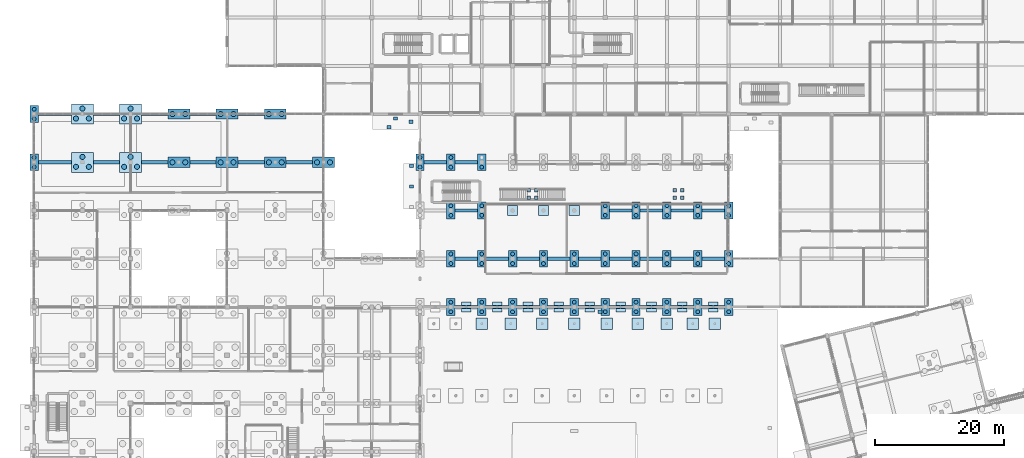
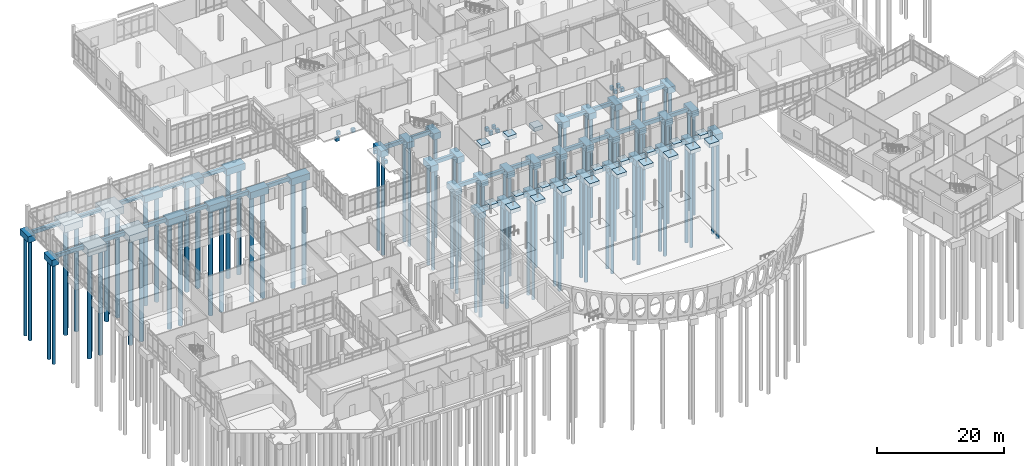
# One storey, part 4 of 173: 114 footings, 89 piles.
"""IFC4 building model written with IfcOpenShell, lengths in metres."""

from ifc_helpers import new_model, si_unit, direction, frame, origin, origin_2d, place, context, subcontext, project, spatial, rectangle, circle, extrude, material, material_profile, profile_set, type_object, element, save


model = new_model("IFC4")

# Units and contexts
model_context = context("Model", 3, precision=1e-05, world=origin(), true_north=direction((0.0, 1.0)))
body_context = subcontext(model_context, "Body", "Model", "MODEL_VIEW")
ifc_project = project(units=[si_unit("LENGTHUNIT", "METRE"), si_unit("AREAUNIT", "SQUARE_METRE"), si_unit("VOLUMEUNIT", "CUBIC_METRE"), si_unit("PLANEANGLEUNIT", "RADIAN"), si_unit("MASSUNIT", "GRAM", prefix="KILO")], contexts=[model_context])

# Site, building, storey
site_placement = place(None, origin())
site = spatial("IfcSite", under=ifc_project, at=site_placement, CompositionType="ELEMENT")
building_placement = place(site_placement, origin())
building = spatial("IfcBuilding", under=site, at=building_placement, Name="Mawjan Specialist Oncology Clinic", CompositionType="ELEMENT")
storey_placement = place(building_placement, origin())
storey = spatial("IfcBuildingStorey", under=building, at=storey_placement, Name="L00", CompositionType="ELEMENT", Elevation=0.0)

# Footings
ifc_material_1 = material(Name="Concrete C40/50", Category="concrete")
footing_type_1 = type_object("IfcFootingType", Name="PC-2A", PredefinedType="PILE_CAP", material=ifc_material_1)
for number, where, z_axis, x_axis, name in (
    (1, (0.0, 68.300048828125, -1.6201171875), (0.0, 0.0, 1.0), (0.0, 1.0, 0.0), "Pile Cap FTG-PC-010"),
    (2, (0.0, 75.800048828125, -1.6201171875), (0.0, 0.0, 1.0), (0.0, 1.0, 0.0), "Pile Cap FTG-PC-011"),
    (3, (60.0, 68.300048828125, -1.6201171875), (0.0, 0.0, 1.0), (0.0, 1.0, 0.0), "Pile Cap FTG-PC-112"),
    (4, (64.800048828125, 45.800048828125, -1.6201171875), (0.0, 0.0, 1.0), (0.0, 1.0, 0.0), "Pile Cap FTG-PC-119"),
    (5, (64.800048828125, 53.300048828125, -1.6201171875), (0.0, 0.0, 1.0), (0.0, 1.0, 0.0), "Pile Cap FTG-PC-120"),
    (6, (64.800048828125, 60.800048828125, -1.6201171875), (0.0, 0.0, 1.0), (0.0, 1.0, 0.0), "Pile Cap FTG-PC-121"),
    (7, (64.800048828125, 68.300048828125, -1.6201171875), (0.0, 0.0, 1.0), (0.0, 1.0, 0.0), "Pile Cap FTG-PC-122"),
    (8, (69.60009765625, 45.800048828125, -1.6201171875), (0.0, 0.0, 1.0), (0.0, 1.0, 0.0), "Pile Cap FTG-PC-129"),
    (9, (69.60009765625, 53.300048828125, -1.6201171875), (0.0, 0.0, 1.0), (0.0, 1.0, 0.0), "Pile Cap FTG-PC-130"),
    (10, (69.60009765625, 60.800048828125, -1.6201171875), (0.0, 0.0, 1.0), (0.0, 1.0, 0.0), "Pile Cap FTG-PC-131"),
    (11, (69.60009765625, 68.300048828125, -1.6201171875), (0.0, 0.0, 1.0), (0.0, 1.0, 0.0), "Pile Cap FTG-PC-132"),
    (12, (74.39990234375, 45.800048828125, -1.6201171875), (0.0, 0.0, 1.0), (0.0, 1.0, 0.0), "Pile Cap FTG-PC-139"),
    (13, (74.39990234375, 53.300048828125, -1.6201171875), (0.0, 0.0, 1.0), (0.0, 1.0, 0.0), "Pile Cap FTG-PC-140"),
    (14, (79.199951171875, 45.800048828125, -1.6201171875), (0.0, 0.0, 1.0), (0.0, 1.0, 0.0), "Pile Cap FTG-PC-148"),
    (15, (79.199951171875, 53.300048828125, -1.6201171875), (0.0, 0.0, 1.0), (0.0, 1.0, 0.0), "Pile Cap FTG-PC-149"),
    (16, (84.0, 45.800048828125, -1.6201171875), (0.0, 0.0, 1.0), (0.0, 1.0, 0.0), "Pile Cap FTG-PC-157"),
    (17, (84.0, 53.300048828125, -1.6201171875), (0.0, 0.0, 1.0), (0.0, 1.0, 0.0), "Pile Cap FTG-PC-158"),
    (18, (88.800048828125, 45.800048828125, -1.6201171875), (0.0, 0.0, 1.0), (0.0, 1.0, 0.0), "Pile Cap FTG-PC-166"),
    (19, (88.800048828125, 53.300048828125, -1.6201171875), (0.0, 0.0, 1.0), (0.0, 1.0, 0.0), "Pile Cap FTG-PC-167"),
    (20, (88.800048828125, 60.800048828125, -1.6201171875), (0.0, 0.0, 1.0), (0.0, 1.0, 0.0), "Pile Cap FTG-PC-168"),
    (21, (93.60009765625, 45.800048828125, -1.6201171875), (0.0, 0.0, 1.0), (0.0, 1.0, 0.0), "Pile Cap FTG-PC-176"),
    (22, (93.60009765625, 53.300048828125, -1.6201171875), (0.0, 0.0, 1.0), (0.0, 1.0, 0.0), "Pile Cap FTG-PC-177"),
    (23, (93.60009765625, 60.800048828125, -1.6201171875), (0.0, 0.0, 1.0), (0.0, 1.0, 0.0), "Pile Cap FTG-PC-178"),
    (24, (98.39990234375, 45.800048828125, -1.6201171875), (0.0, 0.0, 1.0), (0.0, 1.0, 0.0), "Pile Cap FTG-PC-186"),
    (25, (98.39990234375, 53.300048828125, -1.6201171875), (0.0, 0.0, 1.0), (0.0, 1.0, 0.0), "Pile Cap FTG-PC-187"),
    (26, (98.39990234375, 60.800048828125, -1.6201171875), (0.0, 0.0, 1.0), (0.0, 1.0, 0.0), "Pile Cap FTG-PC-188"),
    (27, (103.199951171875, 45.800048828125, -1.6201171875), (0.0, 0.0, 1.0), (0.0, 1.0, 0.0), "Pile Cap FTG-PC-196"),
    (28, (103.199951171875, 53.300048828125, -1.6201171875), (0.0, 0.0, 1.0), (0.0, 1.0, 0.0), "Pile Cap FTG-PC-197"),
    (29, (103.199951171875, 60.800048828125, -1.6201171875), (0.0, 0.0, 1.0), (0.0, 1.0, 0.0), "Pile Cap FTG-PC-198"),
    (30, (108.0, 45.800048828125, -1.6201171875), (0.0, 0.0, 1.0), (0.0, 1.0, 0.0), "Pile Cap FTG-PC-206"),
    (31, (108.0, 53.300048828125, -1.6201171875), (0.0, 0.0, 1.0), (0.0, 1.0, 0.0), "Pile Cap FTG-PC-207"),
    (32, (108.0, 60.800048828125, -1.6201171875), (0.0, 0.0, 1.0), (0.0, 1.0, 0.0), "Pile Cap FTG-PC-208"),
):
    element("IfcFooting", number, at=place(storey_placement, frame(where, z_axis=z_axis, x_axis=x_axis)), inside=storey, type_object=footing_type_1, Name=name, PredefinedType="PILE_CAP", context=body_context, shape_type="SweptSolid", body=[
        extrude(rectangle(XDim=2.60009765625, YDim=1.300048828125, at=origin_2d()), origin(), (0.0, 0.0, 1.0), 1.199951171875),
    ])
ifc_material_2 = material(Name="Concrete C40/50", Category="concrete")
footing_type_2 = type_object("IfcFootingType", Name="PC-2B", PredefinedType="PILE_CAP", material=ifc_material_2)
for number, where, z_axis, x_axis, name in (
    (33, (22.5, 68.300048828125, -1.72021484375), (0.0, 0.0, 1.0), (1.0, 0.0, 0.0), "Pile Cap FTG-PC-041"),
    (34, (22.5, 75.800048828125, -1.72021484375), (0.0, 0.0, 1.0), (1.0, 0.0, 0.0), "Pile Cap FTG-PC-042"),
    (35, (30.0, 68.300048828125, -1.72021484375), (0.0, 0.0, 1.0), (1.0, 0.0, 0.0), "Pile Cap FTG-PC-052"),
    (36, (30.0, 75.800048828125, -1.72021484375), (0.0, 0.0, 1.0), (1.0, 0.0, 0.0), "Pile Cap FTG-PC-053"),
    (37, (37.5, 68.300048828125, -1.72021484375), (0.0, 0.0, 1.0), (1.0, 0.0, 0.0), "Pile Cap FTG-PC-068"),
    (38, (37.5, 75.800048828125, -1.72021484375), (0.0, 0.0, 1.0), (1.0, 0.0, 0.0), "Pile Cap FTG-PC-069"),
    (39, (45.0, 68.300048828125, -1.72021484375), (0.0, 0.0, 1.0), (1.0, 0.0, 0.0), "Pile Cap FTG-PC-084"),
):
    element("IfcFooting", number, at=place(storey_placement, frame(where, z_axis=z_axis, x_axis=x_axis)), inside=storey, type_object=footing_type_2, Name=name, PredefinedType="PILE_CAP", context=body_context, shape_type="SweptSolid", body=[
        extrude(rectangle(XDim=3.39990234375, YDim=1.60009765625, at=origin_2d()), origin(), (0.0, 0.0, 1.0), 1.300048828125),
    ])
ifc_material_3 = material(Name="Concrete C40/50", Category="concrete")
footing_type_3 = type_object("IfcFootingType", Name="PC-3A", PredefinedType="PILE_CAP", material=ifc_material_3)
for number, where, z_axis, x_axis, name in (
    (40, (7.5, 68.300048828125, -1.77001953125), (0.0, 0.0, 1.0), (1.0, 0.0, 0.0), "Pile Cap FTG-PC-021"),
    (41, (7.5, 75.800048828125, -1.77001953125), (0.0, 0.0, 1.0), (1.0, 0.0, 0.0), "Pile Cap FTG-PC-022"),
    (42, (15.0, 68.300048828125, -1.77001953125), (0.0, 0.0, 1.0), (1.0, 0.0, 0.0), "Pile Cap FTG-PC-032"),
    (43, (15.0, 75.800048828125, -1.77001953125), (0.0, 0.0, 1.0), (1.0, 0.0, 0.0), "Pile Cap FTG-PC-033"),
):
    element("IfcFooting", number, at=place(storey_placement, frame(where, z_axis=z_axis, x_axis=x_axis)), inside=storey, type_object=footing_type_3, Name=name, PredefinedType="PILE_CAP", context=body_context, shape_type="SweptSolid", body=[
        extrude(rectangle(XDim=3.39990234375, YDim=3.10009765625, at=origin_2d()), origin(), (0.0, 0.0, 1.0), 1.35009765625),
    ])
ifc_material_4 = material(Name="Concrete C40/50", Category="concrete")
footing_type_4 = type_object("IfcFootingType", Name="PF-GDN1", PredefinedType="PAD_FOOTING", material=ifc_material_4)
for number, where, z_axis, x_axis, name in (
    (44, (67.199951171875, 45.800048828125, -0.75), (0.0, 0.0, 1.0), (1.0, 0.0, 0.0), "Hall South Ridge Footing 02"),
    (45, (72.0, 45.800048828125, -0.75), (0.0, 0.0, 1.0), (1.0, 0.0, 0.0), "Hall South Ridge Footing 03"),
    (46, (76.800048828125, 45.800048828125, -0.75), (0.0, 0.0, 1.0), (1.0, 0.0, 0.0), "Hall South Ridge Footing 04"),
    (47, (81.60009765625, 45.800048828125, -0.75), (0.0, 0.0, 1.0), (1.0, 0.0, 0.0), "Hall South Ridge Footing 05"),
    (48, (86.39990234375, 45.800048828125, -0.75), (0.0, 0.0, 1.0), (1.0, 0.0, 0.0), "Hall South Ridge Footing 06"),
    (49, (91.199951171875, 45.800048828125, -0.75), (0.0, 0.0, 1.0), (1.0, 0.0, 0.0), "Hall South Ridge Footing 07"),
    (50, (96.0, 45.800048828125, -0.75), (0.0, 0.0, 1.0), (1.0, 0.0, 0.0), "Hall South Ridge Footing 08"),
    (51, (100.800048828125, 45.800048828125, -0.75), (0.0, 0.0, 1.0), (1.0, 0.0, 0.0), "Hall South Ridge Footing 09"),
    (52, (105.60009765625, 45.800048828125, -0.75), (0.0, 0.0, 1.0), (1.0, 0.0, 0.0), "Hall South Ridge Footing 10"),
):
    element("IfcFooting", number, at=place(storey_placement, frame(where, z_axis=z_axis, x_axis=x_axis)), inside=storey, type_object=footing_type_4, Name=name, PredefinedType="PAD_FOOTING", context=body_context, shape_type="SweptSolid", body=[
        extrude(rectangle(XDim=1.5, YDim=1.5, at=origin_2d()), origin(), (0.0, 0.0, 1.0), 0.75),
    ])
ifc_material_5 = material(Name="Concrete C40/50", Category="concrete")
footing_type_5 = type_object("IfcFootingType", Name="PF-GDN3", PredefinedType="PAD_FOOTING", material=ifc_material_5)
for number, where, z_axis, x_axis, name in (
    (53, (74.39990234375, 60.800048828125, -0.75), (0.0, 0.0, 1.0), (1.0, 0.0, 0.0), "Hall Valley Pad 4-60"),
    (54, (79.199951171875, 60.800048828125, -0.75), (0.0, 0.0, 1.0), (1.0, 0.0, 0.0), "Hall Valley Pad 5-60"),
    (55, (84.0, 60.800048828125, -0.75), (0.0, 0.0, 1.0), (1.0, 0.0, 0.0), "Hall Valley Pad 6-60"),
):
    element("IfcFooting", number, at=place(storey_placement, frame(where, z_axis=z_axis, x_axis=x_axis)), inside=storey, type_object=footing_type_5, Name=name, PredefinedType="PAD_FOOTING", context=body_context, shape_type="SweptSolid", body=[
        extrude(rectangle(XDim=1.60009765625, YDim=1.60009765625, at=origin_2d()), origin(), (0.0, 0.0, 1.0), 0.75),
    ])
for number, where, z_axis, x_axis, name in (
    (56, (69.611328125, 43.199951171875, -0.75), (0.0, 0.0, 1.0), (1.0, 0.0, 0.0), "Courtyard North Colonnade Pad 03"),
    (57, (74.131103515625, 43.199951171875, -0.75), (0.0, 0.0, 1.0), (1.0, 0.0, 0.0), "Courtyard North Colonnade Pad 04"),
    (58, (78.981689453125, 43.199951171875, -0.75), (0.0, 0.0, 1.0), (1.0, 0.0, 0.0), "Courtyard North Colonnade Pad 05"),
    (59, (84.0, 43.199951171875, -0.75), (0.0, 0.0, 1.0), (1.0, 0.0, 0.0), "Courtyard North Colonnade Pad 06"),
    (60, (89.018310546875, 43.199951171875, -0.75), (0.0, 0.0, 1.0), (1.0, 0.0, 0.0), "Courtyard North Colonnade Pad 07"),
    (61, (93.868896484375, 43.199951171875, -0.75), (0.0, 0.0, 1.0), (1.0, 0.0, 0.0), "Courtyard North Colonnade Pad 08"),
    (62, (98.388671875, 43.199951171875, -0.75), (0.0, 0.0, 1.0), (1.0, 0.0, 0.0), "Courtyard North Colonnade Pad 09"),
    (63, (102.426513671875, 43.199951171875, -0.75), (0.0, 0.0, 1.0), (1.0, 0.0, 0.0), "Courtyard North Colonnade Pad 10"),
    (64, (105.847412109375, 43.199951171875, -0.75), (0.0, 0.0, 1.0), (1.0, 0.0, 0.0), "Courtyard North Colonnade Pad 11"),
):
    element("IfcFooting", number, at=place(storey_placement, frame(where, z_axis=z_axis, x_axis=x_axis)), inside=storey, type_object=footing_type_5, Name=name, PredefinedType="PAD_FOOTING", context=body_context, shape_type="SweptSolid", body=[
        extrude(rectangle(XDim=1.800048828125, YDim=1.800048828125, at=origin_2d()), origin(), (0.0, 0.0, 1.0), 0.75),
    ])

# Piles
ifc_material_6 = material(Name="Concrete C40/50", Category="concrete")
ifc_material_profile_1 = material_profile(ifc_material_6, circle(Radius=0.300048828125, at=origin_2d()), Name="BORED PILE D600", Category="concrete")
ifc_profile_set_1 = profile_set([ifc_material_profile_1], Name="Concrete C40/50")
pile_type_1 = type_object("IfcPileType", Name="PILE-600", PredefinedType="BORED", material=ifc_profile_set_1)
for number, where, z_axis, x_axis, name in (
    (65, (0.0, 67.550048828125, -1.52001953125), (0.0, 0.0, -1.0), (1.0, 0.0, 0.0), "Bored Pile PIL-0018"),
    (66, (0.0, 69.050048828125, -1.52001953125), (0.0, 0.0, -1.0), (1.0, 0.0, 0.0), "Bored Pile PIL-0019"),
    (67, (0.0, 75.050048828125, -1.52001953125), (0.0, 0.0, -1.0), (1.0, 0.0, 0.0), "Bored Pile PIL-0020"),
    (68, (0.0, 76.550048828125, -1.52001953125), (0.0, 0.0, -1.0), (1.0, 0.0, 0.0), "Bored Pile PIL-0021"),
    (69, (60.0, 67.550048828125, -1.52001953125), (0.0, 0.0, -1.0), (1.0, 0.0, 0.0), "Bored Pile PIL-0321"),
    (70, (60.0, 69.050048828125, -1.52001953125), (0.0, 0.0, -1.0), (1.0, 0.0, 0.0), "Bored Pile PIL-0322"),
    (71, (64.800048828125, 45.050048828125, -1.52001953125), (0.0, 0.0, -1.0), (1.0, 0.0, 0.0), "Bored Pile PIL-0335"),
    (72, (64.800048828125, 46.550048828125, -1.52001953125), (0.0, 0.0, -1.0), (1.0, 0.0, 0.0), "Bored Pile PIL-0336"),
    (73, (64.800048828125, 52.550048828125, -1.52001953125), (0.0, 0.0, -1.0), (1.0, 0.0, 0.0), "Bored Pile PIL-0337"),
    (74, (64.800048828125, 54.050048828125, -1.52001953125), (0.0, 0.0, -1.0), (1.0, 0.0, 0.0), "Bored Pile PIL-0338"),
    (75, (64.800048828125, 60.050048828125, -1.52001953125), (0.0, 0.0, -1.0), (1.0, 0.0, 0.0), "Bored Pile PIL-0339"),
    (76, (64.800048828125, 61.550048828125, -1.52001953125), (0.0, 0.0, -1.0), (1.0, 0.0, 0.0), "Bored Pile PIL-0340"),
    (77, (64.800048828125, 67.550048828125, -1.52001953125), (0.0, 0.0, -1.0), (1.0, 0.0, 0.0), "Bored Pile PIL-0341"),
    (78, (64.800048828125, 69.050048828125, -1.52001953125), (0.0, 0.0, -1.0), (1.0, 0.0, 0.0), "Bored Pile PIL-0342"),
    (79, (69.60009765625, 45.050048828125, -1.52001953125), (0.0, 0.0, -1.0), (1.0, 0.0, 0.0), "Bored Pile PIL-0355"),
    (80, (69.60009765625, 46.550048828125, -1.52001953125), (0.0, 0.0, -1.0), (1.0, 0.0, 0.0), "Bored Pile PIL-0356"),
    (81, (69.60009765625, 52.550048828125, -1.52001953125), (0.0, 0.0, -1.0), (1.0, 0.0, 0.0), "Bored Pile PIL-0357"),
    (82, (69.60009765625, 54.050048828125, -1.52001953125), (0.0, 0.0, -1.0), (1.0, 0.0, 0.0), "Bored Pile PIL-0358"),
    (83, (69.60009765625, 60.050048828125, -1.52001953125), (0.0, 0.0, -1.0), (1.0, 0.0, 0.0), "Bored Pile PIL-0359"),
    (84, (69.60009765625, 61.550048828125, -1.52001953125), (0.0, 0.0, -1.0), (1.0, 0.0, 0.0), "Bored Pile PIL-0360"),
    (85, (69.60009765625, 67.550048828125, -1.52001953125), (0.0, 0.0, -1.0), (1.0, 0.0, 0.0), "Bored Pile PIL-0361"),
    (86, (74.39990234375, 45.050048828125, -1.52001953125), (0.0, 0.0, -1.0), (1.0, 0.0, 0.0), "Bored Pile PIL-0375"),
    (87, (74.39990234375, 46.550048828125, -1.52001953125), (0.0, 0.0, -1.0), (1.0, 0.0, 0.0), "Bored Pile PIL-0376"),
    (88, (74.39990234375, 52.550048828125, -1.52001953125), (0.0, 0.0, -1.0), (1.0, 0.0, 0.0), "Bored Pile PIL-0377"),
    (89, (74.39990234375, 54.050048828125, -1.52001953125), (0.0, 0.0, -1.0), (1.0, 0.0, 0.0), "Bored Pile PIL-0378"),
    (90, (79.199951171875, 45.050048828125, -1.52001953125), (0.0, 0.0, -1.0), (1.0, 0.0, 0.0), "Bored Pile PIL-0393"),
    (91, (79.199951171875, 46.550048828125, -1.52001953125), (0.0, 0.0, -1.0), (1.0, 0.0, 0.0), "Bored Pile PIL-0394"),
    (92, (79.199951171875, 52.550048828125, -1.52001953125), (0.0, 0.0, -1.0), (1.0, 0.0, 0.0), "Bored Pile PIL-0395"),
    (93, (79.199951171875, 54.050048828125, -1.52001953125), (0.0, 0.0, -1.0), (1.0, 0.0, 0.0), "Bored Pile PIL-0396"),
    (94, (84.0, 45.050048828125, -1.52001953125), (0.0, 0.0, -1.0), (1.0, 0.0, 0.0), "Bored Pile PIL-0411"),
    (95, (84.0, 46.550048828125, -1.52001953125), (0.0, 0.0, -1.0), (1.0, 0.0, 0.0), "Bored Pile PIL-0412"),
    (96, (84.0, 52.550048828125, -1.52001953125), (0.0, 0.0, -1.0), (1.0, 0.0, 0.0), "Bored Pile PIL-0413"),
    (97, (84.0, 54.050048828125, -1.52001953125), (0.0, 0.0, -1.0), (1.0, 0.0, 0.0), "Bored Pile PIL-0414"),
    (98, (88.800048828125, 45.050048828125, -1.52001953125), (0.0, 0.0, -1.0), (1.0, 0.0, 0.0), "Bored Pile PIL-0429"),
    (99, (88.800048828125, 46.550048828125, -1.52001953125), (0.0, 0.0, -1.0), (1.0, 0.0, 0.0), "Bored Pile PIL-0430"),
    (100, (88.800048828125, 52.550048828125, -1.52001953125), (0.0, 0.0, -1.0), (1.0, 0.0, 0.0), "Bored Pile PIL-0431"),
    (101, (88.800048828125, 54.050048828125, -1.52001953125), (0.0, 0.0, -1.0), (1.0, 0.0, 0.0), "Bored Pile PIL-0432"),
    (102, (88.800048828125, 60.050048828125, -1.52001953125), (0.0, 0.0, -1.0), (1.0, 0.0, 0.0), "Bored Pile PIL-0433"),
    (103, (88.800048828125, 61.550048828125, -1.52001953125), (0.0, 0.0, -1.0), (1.0, 0.0, 0.0), "Bored Pile PIL-0434"),
    (104, (93.60009765625, 45.050048828125, -1.52001953125), (0.0, 0.0, -1.0), (1.0, 0.0, 0.0), "Bored Pile PIL-0449"),
    (105, (93.60009765625, 46.550048828125, -1.52001953125), (0.0, 0.0, -1.0), (1.0, 0.0, 0.0), "Bored Pile PIL-0450"),
    (106, (93.60009765625, 52.550048828125, -1.52001953125), (0.0, 0.0, -1.0), (1.0, 0.0, 0.0), "Bored Pile PIL-0451"),
    (107, (93.60009765625, 54.050048828125, -1.52001953125), (0.0, 0.0, -1.0), (1.0, 0.0, 0.0), "Bored Pile PIL-0452"),
    (108, (93.60009765625, 60.050048828125, -1.52001953125), (0.0, 0.0, -1.0), (1.0, 0.0, 0.0), "Bored Pile PIL-0453"),
    (109, (93.60009765625, 61.550048828125, -1.52001953125), (0.0, 0.0, -1.0), (1.0, 0.0, 0.0), "Bored Pile PIL-0454"),
    (110, (98.39990234375, 45.050048828125, -1.52001953125), (0.0, 0.0, -1.0), (1.0, 0.0, 0.0), "Bored Pile PIL-0469"),
    (111, (98.39990234375, 46.550048828125, -1.52001953125), (0.0, 0.0, -1.0), (1.0, 0.0, 0.0), "Bored Pile PIL-0470"),
    (112, (98.39990234375, 52.550048828125, -1.52001953125), (0.0, 0.0, -1.0), (1.0, 0.0, 0.0), "Bored Pile PIL-0471"),
    (113, (98.39990234375, 54.050048828125, -1.52001953125), (0.0, 0.0, -1.0), (1.0, 0.0, 0.0), "Bored Pile PIL-0472"),
    (114, (98.39990234375, 60.050048828125, -1.52001953125), (0.0, 0.0, -1.0), (1.0, 0.0, 0.0), "Bored Pile PIL-0473"),
    (115, (98.39990234375, 61.550048828125, -1.52001953125), (0.0, 0.0, -1.0), (1.0, 0.0, 0.0), "Bored Pile PIL-0474"),
    (116, (103.199951171875, 45.050048828125, -1.52001953125), (0.0, 0.0, -1.0), (1.0, 0.0, 0.0), "Bored Pile PIL-0489"),
    (117, (103.199951171875, 46.550048828125, -1.52001953125), (0.0, 0.0, -1.0), (1.0, 0.0, 0.0), "Bored Pile PIL-0490"),
    (118, (103.199951171875, 52.550048828125, -1.52001953125), (0.0, 0.0, -1.0), (1.0, 0.0, 0.0), "Bored Pile PIL-0491"),
    (119, (103.199951171875, 54.050048828125, -1.52001953125), (0.0, 0.0, -1.0), (1.0, 0.0, 0.0), "Bored Pile PIL-0492"),
    (120, (103.199951171875, 60.050048828125, -1.52001953125), (0.0, 0.0, -1.0), (1.0, 0.0, 0.0), "Bored Pile PIL-0493"),
    (121, (103.199951171875, 61.550048828125, -1.52001953125), (0.0, 0.0, -1.0), (1.0, 0.0, 0.0), "Bored Pile PIL-0494"),
    (122, (108.0, 45.050048828125, -1.52001953125), (0.0, 0.0, -1.0), (1.0, 0.0, 0.0), "Bored Pile PIL-0509"),
    (123, (108.0, 46.550048828125, -1.52001953125), (0.0, 0.0, -1.0), (1.0, 0.0, 0.0), "Bored Pile PIL-0510"),
    (124, (108.0, 52.550048828125, -1.52001953125), (0.0, 0.0, -1.0), (1.0, 0.0, 0.0), "Bored Pile PIL-0511"),
    (125, (108.0, 54.050048828125, -1.52001953125), (0.0, 0.0, -1.0), (1.0, 0.0, 0.0), "Bored Pile PIL-0512"),
    (126, (108.0, 60.050048828125, -1.52001953125), (0.0, 0.0, -1.0), (1.0, 0.0, 0.0), "Bored Pile PIL-0513"),
    (127, (108.0, 61.550048828125, -1.52001953125), (0.0, 0.0, -1.0), (1.0, 0.0, 0.0), "Bored Pile PIL-0514"),
):
    element("IfcPile", number, at=place(storey_placement, frame(where, z_axis=z_axis, x_axis=x_axis)), inside=storey, type_object=pile_type_1, Name=name, PredefinedType="BORED", context=body_context, shape_type="SweptSolid", body=[
        extrude(circle(Radius=0.300048828125, at=origin_2d()), origin(), (0.0, 0.0, 1.0), 19.280029296875),
    ])
ifc_material_7 = material(Name="Concrete C40/50", Category="concrete")
ifc_material_profile_2 = material_profile(ifc_material_7, circle(Radius=0.39990234375, at=origin_2d()), Name="BORED PILE D800", Category="concrete")
ifc_profile_set_2 = profile_set([ifc_material_profile_2], Name="Concrete C40/50")
pile_type_2 = type_object("IfcPileType", Name="PILE-800", PredefinedType="BORED", material=ifc_profile_set_2)
for number, where, z_axis, x_axis, name in (
    (128, (6.5, 67.60009765625, -1.669921875), (0.0, 0.0, -1.0), (1.0, 0.0, 0.0), "Bored Pile PIL-0055"),
    (129, (8.5, 67.60009765625, -1.669921875), (0.0, 0.0, -1.0), (1.0, 0.0, 0.0), "Bored Pile PIL-0056"),
    (130, (7.5, 69.14990234375, -1.669921875), (0.0, 0.0, -1.0), (1.0, 0.0, 0.0), "Bored Pile PIL-0057"),
    (131, (6.5, 75.10009765625, -1.669921875), (0.0, 0.0, -1.0), (1.0, 0.0, 0.0), "Bored Pile PIL-0058"),
    (132, (8.5, 75.10009765625, -1.669921875), (0.0, 0.0, -1.0), (1.0, 0.0, 0.0), "Bored Pile PIL-0059"),
    (133, (7.5, 76.64990234375, -1.669921875), (0.0, 0.0, -1.0), (1.0, 0.0, 0.0), "Bored Pile PIL-0060"),
    (134, (14.0, 67.60009765625, -1.669921875), (0.0, 0.0, -1.0), (1.0, 0.0, 0.0), "Bored Pile PIL-0094"),
    (135, (16.0, 67.60009765625, -1.669921875), (0.0, 0.0, -1.0), (1.0, 0.0, 0.0), "Bored Pile PIL-0095"),
    (136, (15.0, 69.14990234375, -1.669921875), (0.0, 0.0, -1.0), (1.0, 0.0, 0.0), "Bored Pile PIL-0096"),
    (137, (14.0, 75.10009765625, -1.669921875), (0.0, 0.0, -1.0), (1.0, 0.0, 0.0), "Bored Pile PIL-0097"),
    (138, (16.0, 75.10009765625, -1.669921875), (0.0, 0.0, -1.0), (1.0, 0.0, 0.0), "Bored Pile PIL-0098"),
    (139, (15.0, 76.64990234375, -1.669921875), (0.0, 0.0, -1.0), (1.0, 0.0, 0.0), "Bored Pile PIL-0099"),
):
    element("IfcPile", number, at=place(storey_placement, frame(where, z_axis=z_axis, x_axis=x_axis)), inside=storey, type_object=pile_type_2, Name=name, PredefinedType="BORED", context=body_context, shape_type="SweptSolid", body=[
        extrude(circle(Radius=0.39990234375, at=origin_2d()), origin(), (0.0, 0.0, 1.0), 20.330078125),
    ])
for number, where, z_axis, x_axis, name in (
    (140, (21.5, 68.300048828125, -1.6201171875), (0.0, 0.0, -1.0), (1.0, 0.0, 0.0), "Bored Pile PIL-0124"),
    (141, (23.5, 68.300048828125, -1.6201171875), (0.0, 0.0, -1.0), (1.0, 0.0, 0.0), "Bored Pile PIL-0125"),
    (142, (21.5, 75.800048828125, -1.6201171875), (0.0, 0.0, -1.0), (1.0, 0.0, 0.0), "Bored Pile PIL-0126"),
    (143, (23.5, 75.800048828125, -1.6201171875), (0.0, 0.0, -1.0), (1.0, 0.0, 0.0), "Bored Pile PIL-0127"),
    (144, (29.0, 68.300048828125, -1.6201171875), (0.0, 0.0, -1.0), (1.0, 0.0, 0.0), "Bored Pile PIL-0160"),
    (145, (31.0, 68.300048828125, -1.6201171875), (0.0, 0.0, -1.0), (1.0, 0.0, 0.0), "Bored Pile PIL-0161"),
    (146, (29.0, 75.800048828125, -1.6201171875), (0.0, 0.0, -1.0), (1.0, 0.0, 0.0), "Bored Pile PIL-0162"),
    (147, (31.0, 75.800048828125, -1.6201171875), (0.0, 0.0, -1.0), (1.0, 0.0, 0.0), "Bored Pile PIL-0163"),
    (148, (36.5, 68.300048828125, -1.6201171875), (0.0, 0.0, -1.0), (1.0, 0.0, 0.0), "Bored Pile PIL-0206"),
    (149, (38.5, 68.300048828125, -1.6201171875), (0.0, 0.0, -1.0), (1.0, 0.0, 0.0), "Bored Pile PIL-0207"),
    (150, (36.5, 75.800048828125, -1.6201171875), (0.0, 0.0, -1.0), (1.0, 0.0, 0.0), "Bored Pile PIL-0208"),
    (151, (38.5, 75.800048828125, -1.6201171875), (0.0, 0.0, -1.0), (1.0, 0.0, 0.0), "Bored Pile PIL-0209"),
    (152, (44.0, 68.300048828125, -1.6201171875), (0.0, 0.0, -1.0), (1.0, 0.0, 0.0), "Bored Pile PIL-0248"),
    (153, (46.0, 68.300048828125, -1.6201171875), (0.0, 0.0, -1.0), (1.0, 0.0, 0.0), "Bored Pile PIL-0249"),
):
    element("IfcPile", number, at=place(storey_placement, frame(where, z_axis=z_axis, x_axis=x_axis)), inside=storey, type_object=pile_type_2, Name=name, PredefinedType="BORED", context=body_context, shape_type="SweptSolid", body=[
        extrude(circle(Radius=0.39990234375, at=origin_2d()), origin(), (0.0, 0.0, 1.0), 20.3798828125),
    ])

# Footings
ifc_material_8 = material(Name="Concrete C40/50", Category="concrete")
footing_type_6 = type_object("IfcFootingType", Name="SF-500", PredefinedType="STRIP_FOOTING", material=ifc_material_8)
for number, where, z_axis, x_axis, name in (
    (154, (55.199951171875, 73.75, -0.9501953125), (0.0, 0.0, 1.0), (1.0, 0.0, 0.0), "Apron Grade Strip SLB-APR-K3-1"),
    (155, (58.60009765625, 74.60009765625, -0.9501953125), (0.0, 0.0, 1.0), (1.0, 0.0, 0.0), "Apron Grade Strip SLB-APR-K3-2"),
    (156, (56.199951171875, 75.10009765625, -0.9501953125), (0.0, 0.0, 1.0), (1.0, 0.0, 0.0), "Apron Grade Strip SLB-APR-K3-3"),
    (157, (58.699951171875, 64.550048828125, -0.9501953125), (0.0, 0.0, 1.0), (1.0, 0.0, 0.0), "Apron Grade Strip SLB-APR-K7-2"),
    (158, (58.699951171875, 67.75, -0.9501953125), (0.0, 0.0, 1.0), (1.0, 0.0, 0.0), "Apron Grade Strip SLB-APR-K7-3"),
    (159, (88.0, 45.050048828125, -0.9501953125), (0.0, 0.0, 1.0), (1.0, 0.0, 0.0), "Apron Grade Strip SLB-APR-C1-3"),
):
    element("IfcFooting", number, at=place(storey_placement, frame(where, z_axis=z_axis, x_axis=x_axis)), inside=storey, type_object=footing_type_6, Name=name, PredefinedType="STRIP_FOOTING", context=body_context, shape_type="SweptSolid", body=[
        extrude(rectangle(XDim=0.60009765625, YDim=0.5, at=origin_2d()), origin(), (0.0, 0.0, 1.0), 0.699951171875),
    ])
for number, where, z_axis, x_axis, name in (
    (160, (67.199951171875, 45.800048828125, -1.1201171875), (0.0, 0.0, 1.0), (1.0, 0.0, 0.0), "Foundation Tie Strip FTG-SF-078"),
    (161, (72.0, 45.800048828125, -1.1201171875), (0.0, 0.0, 1.0), (1.0, 0.0, 0.0), "Foundation Tie Strip FTG-SF-079"),
    (162, (76.800048828125, 45.800048828125, -1.1201171875), (0.0, 0.0, 1.0), (1.0, 0.0, 0.0), "Foundation Tie Strip FTG-SF-080"),
    (163, (81.60009765625, 45.800048828125, -1.1201171875), (0.0, 0.0, 1.0), (1.0, 0.0, 0.0), "Foundation Tie Strip FTG-SF-081"),
    (164, (86.39990234375, 45.800048828125, -1.1201171875), (0.0, 0.0, 1.0), (1.0, 0.0, 0.0), "Foundation Tie Strip FTG-SF-082"),
    (165, (91.199951171875, 45.800048828125, -1.1201171875), (0.0, 0.0, 1.0), (1.0, 0.0, 0.0), "Foundation Tie Strip FTG-SF-083"),
    (166, (96.0, 45.800048828125, -1.1201171875), (0.0, 0.0, 1.0), (1.0, 0.0, 0.0), "Foundation Tie Strip FTG-SF-084"),
    (167, (100.800048828125, 45.800048828125, -1.1201171875), (0.0, 0.0, 1.0), (1.0, 0.0, 0.0), "Foundation Tie Strip FTG-SF-085"),
    (168, (105.60009765625, 45.800048828125, -1.1201171875), (0.0, 0.0, 1.0), (1.0, 0.0, 0.0), "Foundation Tie Strip FTG-SF-086"),
    (169, (67.199951171875, 53.300048828125, -1.1201171875), (0.0, 0.0, 1.0), (1.0, 0.0, 0.0), "Foundation Tie Strip FTG-SF-094"),
    (170, (72.0, 53.300048828125, -1.1201171875), (0.0, 0.0, 1.0), (1.0, 0.0, 0.0), "Foundation Tie Strip FTG-SF-095"),
    (171, (76.800048828125, 53.300048828125, -1.1201171875), (0.0, 0.0, 1.0), (1.0, 0.0, 0.0), "Foundation Tie Strip FTG-SF-096"),
    (172, (81.60009765625, 53.300048828125, -1.1201171875), (0.0, 0.0, 1.0), (1.0, 0.0, 0.0), "Foundation Tie Strip FTG-SF-097"),
    (173, (86.39990234375, 53.300048828125, -1.1201171875), (0.0, 0.0, 1.0), (1.0, 0.0, 0.0), "Foundation Tie Strip FTG-SF-098"),
    (174, (91.199951171875, 53.300048828125, -1.1201171875), (0.0, 0.0, 1.0), (1.0, 0.0, 0.0), "Foundation Tie Strip FTG-SF-099"),
    (175, (96.0, 53.300048828125, -1.1201171875), (0.0, 0.0, 1.0), (1.0, 0.0, 0.0), "Foundation Tie Strip FTG-SF-100"),
    (176, (100.800048828125, 53.300048828125, -1.1201171875), (0.0, 0.0, 1.0), (1.0, 0.0, 0.0), "Foundation Tie Strip FTG-SF-101"),
    (177, (105.60009765625, 53.300048828125, -1.1201171875), (0.0, 0.0, 1.0), (1.0, 0.0, 0.0), "Foundation Tie Strip FTG-SF-102"),
    (178, (67.199951171875, 60.800048828125, -1.1201171875), (0.0, 0.0, 1.0), (1.0, 0.0, 0.0), "Foundation Tie Strip FTG-SF-112"),
    (179, (91.199951171875, 60.800048828125, -1.1201171875), (0.0, 0.0, 1.0), (1.0, 0.0, 0.0), "Foundation Tie Strip FTG-SF-113"),
    (180, (96.0, 60.800048828125, -1.1201171875), (0.0, 0.0, 1.0), (1.0, 0.0, 0.0), "Foundation Tie Strip FTG-SF-114"),
    (181, (100.800048828125, 60.800048828125, -1.1201171875), (0.0, 0.0, 1.0), (1.0, 0.0, 0.0), "Foundation Tie Strip FTG-SF-115"),
    (182, (105.60009765625, 60.800048828125, -1.1201171875), (0.0, 0.0, 1.0), (1.0, 0.0, 0.0), "Foundation Tie Strip FTG-SF-116"),
):
    element("IfcFooting", number, at=place(storey_placement, frame(where, z_axis=z_axis, x_axis=x_axis)), inside=storey, type_object=footing_type_6, Name=name, PredefinedType="STRIP_FOOTING", context=body_context, shape_type="SweptSolid", body=[
        extrude(rectangle(XDim=3.5, YDim=0.5, at=origin_2d()), origin(), (0.0, 0.0, 1.0), 0.699951171875),
    ])
footing_1_placement = place(storey_placement, frame((3.22509765625, 68.300048828125, -1.1201171875), z_axis=(0.0, 0.0, 1.0), x_axis=(1.0, 0.0, 0.0)))
element("IfcFooting", 183, at=footing_1_placement, inside=storey, type_object=footing_type_6, Name="Foundation Tie Strip FTG-SF-119", PredefinedType="STRIP_FOOTING", context=body_context, shape_type="SweptSolid", body=[
    extrude(rectangle(XDim=5.14990234375, YDim=0.5, at=origin_2d()), origin(), (0.0, 0.0, 1.0), 0.699951171875),
])
for number, where, z_axis, x_axis, name in (
    (184, (11.25, 68.300048828125, -1.1201171875), (0.0, 0.0, 1.0), (1.0, 0.0, 0.0), "Foundation Tie Strip FTG-SF-120"),
    (185, (18.75, 68.300048828125, -1.1201171875), (0.0, 0.0, 1.0), (1.0, 0.0, 0.0), "Foundation Tie Strip FTG-SF-121"),
    (186, (26.25, 68.300048828125, -1.1201171875), (0.0, 0.0, 1.0), (1.0, 0.0, 0.0), "Foundation Tie Strip FTG-SF-122"),
    (187, (33.75, 68.300048828125, -1.1201171875), (0.0, 0.0, 1.0), (1.0, 0.0, 0.0), "Foundation Tie Strip FTG-SF-123"),
    (188, (41.25, 68.300048828125, -1.1201171875), (0.0, 0.0, 1.0), (1.0, 0.0, 0.0), "Foundation Tie Strip FTG-SF-124"),
):
    element("IfcFooting", number, at=place(storey_placement, frame(where, z_axis=z_axis, x_axis=x_axis)), inside=storey, type_object=footing_type_6, Name=name, PredefinedType="STRIP_FOOTING", context=body_context, shape_type="SweptSolid", body=[
        extrude(rectangle(XDim=4.10009765625, YDim=0.5, at=origin_2d()), origin(), (0.0, 0.0, 1.0), 0.699951171875),
    ])
for number, where, z_axis, x_axis, name in (
    (189, (62.39990234375, 68.300048828125, -1.1201171875), (0.0, 0.0, 1.0), (1.0, 0.0, 0.0), "Foundation Tie Strip FTG-SF-125"),
    (190, (67.199951171875, 68.300048828125, -1.1201171875), (0.0, 0.0, 1.0), (1.0, 0.0, 0.0), "Foundation Tie Strip FTG-SF-126"),
):
    element("IfcFooting", number, at=place(storey_placement, frame(where, z_axis=z_axis, x_axis=x_axis)), inside=storey, type_object=footing_type_6, Name=name, PredefinedType="STRIP_FOOTING", context=body_context, shape_type="SweptSolid", body=[
        extrude(rectangle(XDim=3.5, YDim=0.5, at=origin_2d()), origin(), (0.0, 0.0, 1.0), 0.699951171875),
    ])
footing_2_placement = place(storey_placement, frame((3.22509765625, 75.800048828125, -1.1201171875), z_axis=(0.0, 0.0, 1.0), x_axis=(1.0, 0.0, 0.0)))
element("IfcFooting", 191, at=footing_2_placement, inside=storey, type_object=footing_type_6, Name="Foundation Tie Strip FTG-SF-137", PredefinedType="STRIP_FOOTING", context=body_context, shape_type="SweptSolid", body=[
    extrude(rectangle(XDim=5.14990234375, YDim=0.5, at=origin_2d()), origin(), (0.0, 0.0, 1.0), 0.699951171875),
])
for number, where, z_axis, x_axis, name in (
    (192, (11.25, 75.800048828125, -1.1201171875), (0.0, 0.0, 1.0), (1.0, 0.0, 0.0), "Foundation Tie Strip FTG-SF-138"),
    (193, (18.75, 75.800048828125, -1.1201171875), (0.0, 0.0, 1.0), (1.0, 0.0, 0.0), "Foundation Tie Strip FTG-SF-139"),
    (194, (26.25, 75.800048828125, -1.1201171875), (0.0, 0.0, 1.0), (1.0, 0.0, 0.0), "Foundation Tie Strip FTG-SF-140"),
    (195, (33.75, 75.800048828125, -1.1201171875), (0.0, 0.0, 1.0), (1.0, 0.0, 0.0), "Foundation Tie Strip FTG-SF-141"),
):
    element("IfcFooting", number, at=place(storey_placement, frame(where, z_axis=z_axis, x_axis=x_axis)), inside=storey, type_object=footing_type_6, Name=name, PredefinedType="STRIP_FOOTING", context=body_context, shape_type="SweptSolid", body=[
        extrude(rectangle(XDim=4.10009765625, YDim=0.5, at=origin_2d()), origin(), (0.0, 0.0, 1.0), 0.699951171875),
    ])
for number, where, z_axis, x_axis, name in (
    (196, (76.89990234375, 62.764892578125, -0.7001953125), (0.0, 0.0, 1.0), (1.0, 0.0, 0.0), "ST-09 Post Footing 1"),
    (197, (78.10009765625, 62.764892578125, -0.7001953125), (0.0, 0.0, 1.0), (1.0, 0.0, 0.0), "ST-09 Post Footing 2"),
    (198, (78.10009765625, 63.93505859375, -0.7001953125), (0.0, 0.0, 1.0), (1.0, 0.0, 0.0), "ST-09 Post Footing 3"),
    (199, (76.89990234375, 63.93505859375, -0.7001953125), (0.0, 0.0, 1.0), (1.0, 0.0, 0.0), "ST-09 Post Footing 4"),
    (200, (99.60009765625, 62.764892578125, -0.7001953125), (0.0, 0.0, 1.0), (1.0, 0.0, 0.0), "ST-13 Post Footing 1"),
    (201, (100.800048828125, 62.764892578125, -0.7001953125), (0.0, 0.0, 1.0), (1.0, 0.0, 0.0), "ST-13 Post Footing 2"),
    (202, (100.800048828125, 63.93505859375, -0.7001953125), (0.0, 0.0, 1.0), (1.0, 0.0, 0.0), "ST-13 Post Footing 3"),
    (203, (99.60009765625, 63.93505859375, -0.7001953125), (0.0, 0.0, 1.0), (1.0, 0.0, 0.0), "ST-13 Post Footing 4"),
):
    element("IfcFooting", number, at=place(storey_placement, frame(where, z_axis=z_axis, x_axis=x_axis)), inside=storey, type_object=footing_type_6, Name=name, PredefinedType="STRIP_FOOTING", context=body_context, shape_type="SweptSolid", body=[
        extrude(rectangle(XDim=0.550048828125, YDim=0.550048828125, at=origin_2d()), origin(), (0.0, 0.0, 1.0), 0.699951171875),
    ])

save(model, "model.ifc")
